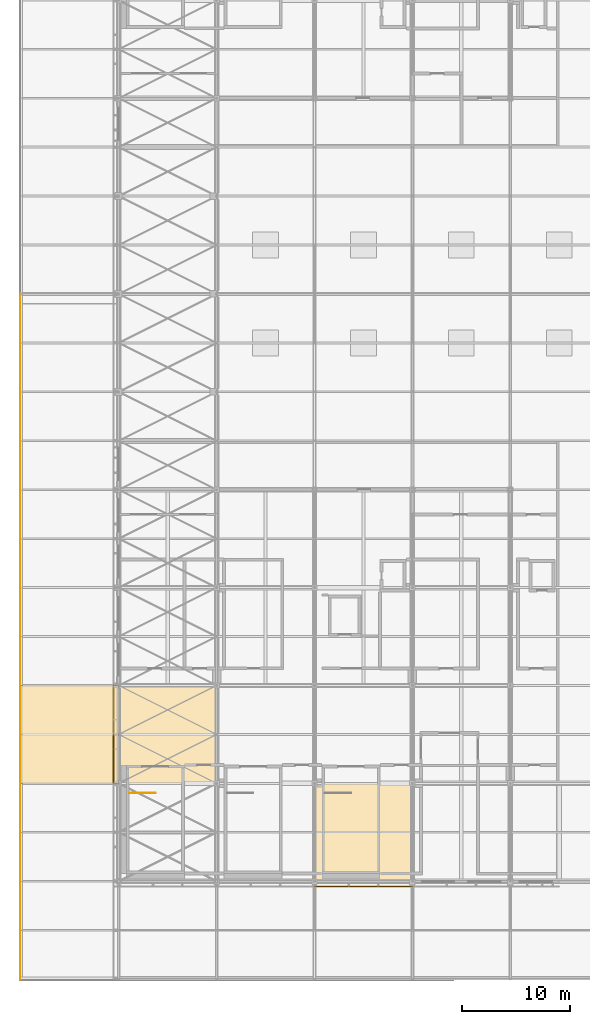
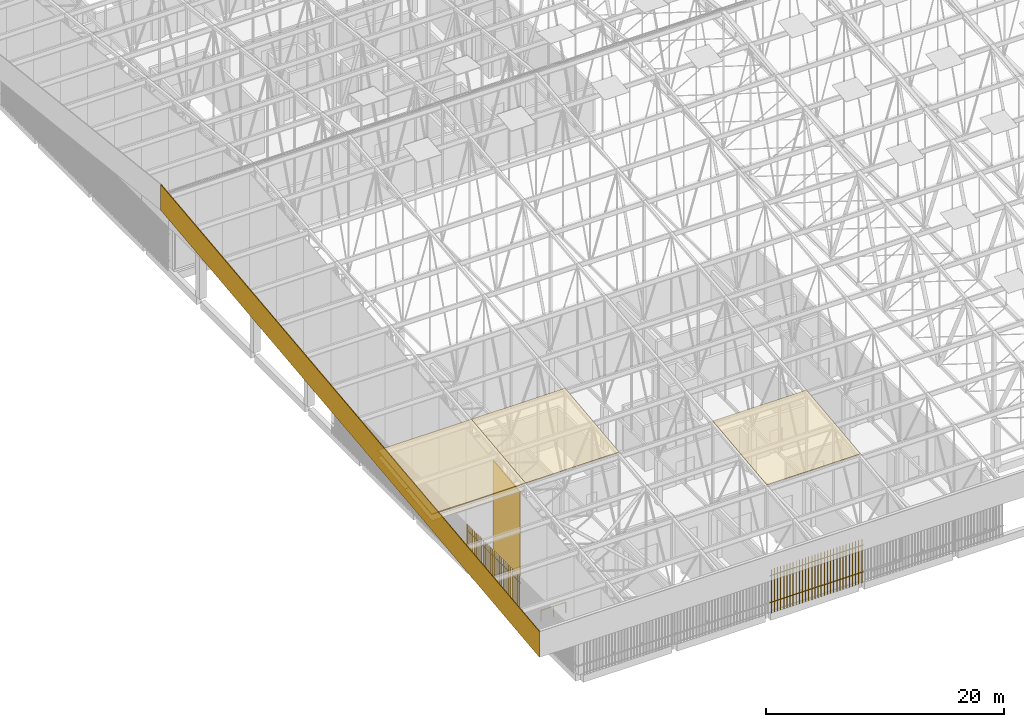
# One storey, part 458 of 500: 6 coverings, 3 shading devices, 1 railing.
"""IFC4 building model written with IfcOpenShell, lengths in metres."""

import ifcopenshell
import ifcopenshell.guid

model = None  # the IFC model being written
_history = None  # IfcOwnerHistory: only IFC2X3 demands one
_inside = {}  # id of a spatial element -> (the spatial element, [elements in it])
_under = {}  # id of a project, library or spatial element -> (it, [spatial elements below it])
_declared = {}  # id of a project -> (the project, [libraries it declares])
_typed = {}  # id of a type object -> (the type object, [elements of that type])
_made_of = {}  # id of a material, layer set ... -> (it, [elements and type objects made of it])


def new_model(schema):
    """Start an empty IFC model of exactly this schema.

    Asked for "IFC4X3", IfcOpenShell would pick the latest addendum, in which some entities
    have other attributes; the version numbers below select the first issue.
    IFC2X3 requires an IfcOwnerHistory on every rooted entity: one is made here for all.
    """
    global model, _history
    if schema == "IFC4X3":
        model = ifcopenshell.file(schema_version=(4, 3, 0, 0))
    else:
        model = ifcopenshell.file(schema=schema)
    _inside.clear()
    _under.clear()
    _declared.clear()
    _typed.clear()
    _made_of.clear()
    _history = None
    if model.schema == "IFC2X3":
        org = make("IfcOrganization", Name="unknown")
        user = make(
            "IfcPersonAndOrganization",
            ThePerson=make("IfcPerson", FamilyName="unknown"),
            TheOrganization=org,
        )
        app = make(
            "IfcApplication",
            ApplicationDeveloper=org,
            Version="unknown",
            ApplicationFullName="unknown",
            ApplicationIdentifier="unknown",
        )
        _history = make(
            "IfcOwnerHistory",
            OwningUser=user,
            OwningApplication=app,
            ChangeAction="ADDED",
            CreationDate=0,
        )
    return model


def make(cls, **values):
    """One entity of the class cls with the attributes given. An attribute that is None is left unset."""
    return model.create_entity(
        cls, **{name: value for name, value in values.items() if value is not None}
    )


def rooted(cls, **values):
    """An entity with a GlobalId (a new one), such as an element, a storey or a relation."""
    return make(cls, GlobalId=ifcopenshell.guid.new(), OwnerHistory=_history, **values)


def si_unit(unit_type, name, prefix=None):
    """IfcSIUnit, for example si_unit("LENGTHUNIT", "METRE", prefix="MILLI")."""
    return make("IfcSIUnit", UnitType=unit_type, Prefix=prefix, Name=name)


def assignment(units):
    """IfcUnitAssignment: the units of a project."""
    return None if units is None else make("IfcUnitAssignment", Units=units)


def point(xyz):
    """IfcCartesianPoint."""
    return None if xyz is None else make("IfcCartesianPoint", Coordinates=xyz)


def direction(xyz):
    """IfcDirection."""
    return None if xyz is None else make("IfcDirection", DirectionRatios=xyz)


def frame(location, z_axis=None, x_axis=None):
    """IfcAxis2Placement3D, a coordinate frame: its origin and axes. An axis left out is left unset."""
    return make(
        "IfcAxis2Placement3D",
        Location=point(location),
        Axis=direction(z_axis),
        RefDirection=direction(x_axis),
    )


def frame_2d(location, x_axis=None):
    """IfcAxis2Placement2D, a coordinate frame in the plane: its origin and x axis."""
    return make(
        "IfcAxis2Placement2D", Location=point(location), RefDirection=direction(x_axis)
    )


def origin():
    """The frame at (0, 0, 0) with its axes left unset."""
    return frame((0.0, 0.0, 0.0))


def origin_2d():
    """The frame at (0, 0) in the plane with its x axis left unset."""
    return frame_2d((0.0, 0.0))


def place(relative_to, where):
    """IfcLocalPlacement: puts the frame where relative to a parent placement (None: the world)."""
    return make(
        "IfcLocalPlacement", PlacementRelTo=relative_to, RelativePlacement=where
    )


def context(
    kind, dimensions, precision=None, world=None, true_north=None, identifier=None
):
    """IfcGeometricRepresentationContext, for example the 3D "Model" context."""
    return make(
        "IfcGeometricRepresentationContext",
        ContextIdentifier=identifier,
        ContextType=kind,
        CoordinateSpaceDimension=dimensions,
        Precision=precision,
        WorldCoordinateSystem=world,
        TrueNorth=true_north,
    )


def subcontext(parent, identifier, kind, view, scale=None):
    """IfcGeometricRepresentationSubContext, for example "Body" below "Model"."""
    return make(
        "IfcGeometricRepresentationSubContext",
        ContextIdentifier=identifier,
        ContextType=kind,
        ParentContext=parent,
        TargetScale=scale,
        TargetView=view,
    )


def project(units=None, contexts=None):
    """IfcProject with its units and contexts."""
    return rooted(
        "IfcProject",
        Name="project",
        RepresentationContexts=contexts,
        UnitsInContext=assignment(units),
    )


def spatial(cls, under=None, at=None, **own):
    """A site, building, storey or space (cls), placed at a placement, below another one or the project."""
    s = rooted(cls, ObjectPlacement=at, **own)
    if under is not None:
        _under.setdefault(under.id(), (under, []))[1].append(s)
    return s


def polyline(points):
    """IfcPolyline through the points."""
    return make("IfcPolyline", Points=[point(p) for p in points])


def profile(cls, at=None, kind="AREA", **sizes):
    """A parametric profile (cls). Its sizes go by their IFC names, for example OverallWidth=200.0."""
    return make(cls, ProfileType=kind, Position=at, **sizes)


def rectangle(**sizes):
    """IfcRectangleProfileDef."""
    return profile("IfcRectangleProfileDef", **sizes)


def circle(**sizes):
    """IfcCircleProfileDef."""
    return profile("IfcCircleProfileDef", **sizes)


def outline(outer, holes=None, kind="AREA"):
    """IfcArbitraryClosedProfileDef: a profile drawn as a closed curve; with holes, ...WithVoids."""
    if holes is None:
        return make("IfcArbitraryClosedProfileDef", ProfileType=kind, OuterCurve=outer)
    return make(
        "IfcArbitraryProfileDefWithVoids",
        ProfileType=kind,
        OuterCurve=outer,
        InnerCurves=holes,
    )


def extrude(swept, where, along, depth):
    """IfcExtrudedAreaSolid: the profile swept, set in the frame where, extruded along a direction by depth."""
    return make(
        "IfcExtrudedAreaSolid",
        SweptArea=swept,
        Position=where,
        ExtrudedDirection=direction(along),
        Depth=depth,
    )


def shape(context_of_items, identifier, shape_type, items):
    """IfcShapeRepresentation: the items that make up one representation, for example the "Body"."""
    return make(
        "IfcShapeRepresentation",
        ContextOfItems=context_of_items,
        RepresentationIdentifier=identifier,
        RepresentationType=shape_type,
        Items=items,
    )


def material(Name=None, Category=None):
    """IfcMaterial."""
    return make("IfcMaterial", Name=Name, Category=Category)


def layer(
    of_material, thickness, ventilated=None, Name=None, Category=None, Priority=None
):
    """IfcMaterialLayer: one layer of a wall or slab, of a material (None: an air gap)."""
    return make(
        "IfcMaterialLayer",
        Material=of_material,
        LayerThickness=thickness,
        IsVentilated=ventilated,
        Name=Name,
        Category=Category,
        Priority=Priority,
    )


def layer_set(layers, Name=None):
    """IfcMaterialLayerSet."""
    return make("IfcMaterialLayerSet", MaterialLayers=layers, LayerSetName=Name)


def made_of(thing, what):
    """Note that an element or type object is made of a material, layer set ...; save() writes the relation."""
    if what is not None:
        _made_of.setdefault(what.id(), (what, []))[1].append(thing)
    return thing


def type_object(cls, material=None, **own):
    """A type object (cls), such as IfcWallType, which elements share."""
    return made_of(rooted(cls, **own), material)


def element(
    cls,
    number,
    at=None,
    inside=None,
    cuts=None,
    type_object=None,
    material=None,
    context=None,
    identifier="Body",
    shape_type=None,
    held_by="IfcProductDefinitionShape",
    body=None,
    shapes=None,
    **own,
):
    """One element of the class cls, such as IfcWall. Its Tag is "e" and its number.

    at: its placement. inside: the storey or other place that contains it. cuts: it is an
    opening in that element (IfcRelVoidsElement). A single representation is given by context,
    identifier, shape_type and body (its items); several are given by shapes. held_by: the class
    of the entity that holds the representations. save() writes the other relations.
    """
    e = rooted(cls, Tag="e%d" % number, ObjectPlacement=at, **own)
    if body is not None:
        shapes = [shape(context, identifier, shape_type, body)]
    if shapes is not None:
        e.Representation = make(held_by, Representations=shapes)
    if inside is not None:
        _inside.setdefault(inside.id(), (inside, []))[1].append(e)
    if cuts is not None:
        rooted(
            "IfcRelVoidsElement", RelatingBuildingElement=cuts, RelatedOpeningElement=e
        )
    if type_object is not None:
        _typed.setdefault(type_object.id(), (type_object, []))[1].append(e)
    return made_of(e, material)


def aggregate(whole, parts):
    """IfcRelAggregates: a whole, such as a stair, and the parts it consists of."""
    return rooted("IfcRelAggregates", RelatingObject=whole, RelatedObjects=parts)


def save(model, path):
    """Write the relations noted so far, then the file.

    IfcRelAggregates (storeys below a building ...), IfcRelContainedInSpatialStructure (elements
    in a storey), IfcRelDefinesByType, IfcRelAssociatesMaterial and IfcRelDeclares: one each for
    every whole, place, type object, material and project.
    """
    for whole, parts in _under.values():
        aggregate(whole, parts)
    for where, things in _inside.values():
        rooted(
            "IfcRelContainedInSpatialStructure",
            RelatedElements=things,
            RelatingStructure=where,
        )
    for kind, things in _typed.values():
        rooted("IfcRelDefinesByType", RelatedObjects=things, RelatingType=kind)
    for what, things in _made_of.values():
        rooted("IfcRelAssociatesMaterial", RelatedObjects=things, RelatingMaterial=what)
    for by, libraries in _declared.values():
        rooted("IfcRelDeclares", RelatingContext=by, RelatedDefinitions=libraries)
    model.write(path)


model = new_model("IFC4")

# Units and contexts
model_context = context("Model", 3, precision=1e-05, world=origin(), true_north=direction((0.0, 1.0)))
body_context = subcontext(model_context, "Body", "Model", "MODEL_VIEW")
ifc_project = project(units=[si_unit("LENGTHUNIT", "METRE"), si_unit("AREAUNIT", "SQUARE_METRE"), si_unit("VOLUMEUNIT", "CUBIC_METRE"), si_unit("PLANEANGLEUNIT", "RADIAN"), si_unit("MASSUNIT", "GRAM", prefix="KILO")], contexts=[model_context])

# Site, building, storey
site_placement = place(None, origin())
site = spatial("IfcSite", under=ifc_project, at=site_placement, CompositionType="ELEMENT")
building_placement = place(site_placement, origin())
building = spatial("IfcBuilding", under=site, at=building_placement, Name="Shirokan Park Arena", CompositionType="ELEMENT")
storey_placement = place(building_placement, frame((0.0, 0.0, 29.1201171875)))
storey = spatial("IfcBuildingStorey", under=building, at=storey_placement, Name="L06", CompositionType="ELEMENT", Elevation=29.1201171875)

# Coverings
ifc_material_1 = material(Name="Bituminous roofing membrane")
ifc_layer_1 = layer(ifc_material_1, 0.010009765625, Name="Bituminous roofing membrane")
ifc_material_2 = material(Name="Mineral wool insulation")
ifc_layer_2 = layer(ifc_material_2, 0.050048828125, Name="Mineral wool insulation")
ifc_layer_set_1 = layer_set([ifc_layer_1, ifc_layer_2], Name="Bituminous roofing membrane + Mineral wool insulation")
covering_type_1 = type_object("IfcCoveringType", Name="Roofing membrane 60", PredefinedType="ROOFING", material=ifc_layer_set_1)
for number, where, z_axis, x_axis, name in (
    (1, (-9.10009765625, 9.10009765625, 13.970703125), (0.0, -0.113552605302, 0.993531985308), (1.0, 0.0, 0.0), "Roofing"),
    (2, (0.0, 9.10009765625, 13.970703125), (0.0, -0.113552605302, 0.993531985308), (1.0, 0.0, 0.0), "Roofing"),
):
    element("IfcCovering", number, at=place(storey_placement, frame(where, z_axis=z_axis, x_axis=x_axis)), inside=storey, type_object=covering_type_1, Name=name, PredefinedType="ROOFING", context=body_context, shape_type="SweptSolid", body=[
        extrude(outline(polyline([(0.0, 0.0), (9.10009765625, 0.0), (9.10009765625, 9.159094674549367), (0.0, 9.159094674549367), (0.0, 0.0)])), origin(), (0.0, 0.0, -1.0), 0.06005859375),
    ])
covering_1_placement = place(storey_placement, frame((18.199951171875, 0.0, 12.9306640625), z_axis=(0.0, -0.113549598152, 0.993532328996), x_axis=(1.0, 0.0, 0.0)))
element("IfcCovering", 3, at=covering_1_placement, inside=storey, type_object=covering_type_1, Name="Roofing", PredefinedType="ROOFING", context=body_context, shape_type="SweptSolid", body=[
    extrude(outline(polyline([(0.0, 0.0), (9.10009765625, 0.0), (9.10009765625, 9.15933723611117), (0.0, 9.15933723611117), (0.0, 0.0)])), origin(), (0.0, 0.0, -1.0), 0.06005859375),
])

# Railing
ifc_material_3 = material(Name="Stainless steel", Category="steel")
railing_type = type_object("IfcRailingType", Name="Stair well guard 1100", PredefinedType="GUARDRAIL", material=ifc_material_3)
railing_placement = place(storey_placement, frame((1.0, 8.199951171875, 0.0)))
element("IfcRailing", 4, at=railing_placement, inside=storey, type_object=railing_type, Name="Guard Exit Stair 1.A L06", PredefinedType="GUARDRAIL", context=body_context, shape_type="SweptSolid", body=[
    extrude(circle(Radius=0.02490234375, at=origin_2d()), frame((0.0, 0.0, 1.0771484375), z_axis=(1.0, 0.0, 0.0), x_axis=(0.0, 1.0, 0.0)), (0.0, 0.0, 1.0), 2.39990234375),
    extrude(circle(Radius=0.02490234375, at=origin_2d()), origin(), (0.0, 0.0, 1.0), 1.052001953125),
    extrude(circle(Radius=0.02490234375, at=origin_2d()), frame((1.199951171875, 0.0, 0.0)), (0.0, 0.0, 1.0), 1.052001953125),
    extrude(circle(Radius=0.02490234375, at=origin_2d()), frame((2.39990234375, 0.0, 0.0)), (0.0, 0.0, 1.0), 1.052001953125),
])

# Coverings
ifc_material_4 = material(Name="Timber soffit boards (cedar)", Category="wood")
ifc_layer_3 = layer(ifc_material_4, 0.030029296875)
ifc_layer_set_2 = layer_set([ifc_layer_3], Name="Timber soffit boards (cedar) 30 mm")
covering_type_2 = type_object("IfcCoveringType", Name="Timber boarded soffit panel", PredefinedType="CLADDING", material=ifc_layer_set_2)
covering_2_placement = place(storey_placement, origin())
element("IfcCovering", 5, at=covering_2_placement, inside=storey, type_object=covering_type_2, Name="Rake soffit west bay 5", PredefinedType="CLADDING", context=body_context, shape_type="SweptSolid", body=[
    extrude(outline(polyline([(0.0, 0.0), (0.11999999999999922, 0.0), (0.11999999999999922, -4.579617887990221), (0.0, -4.579617887990221), (0.0, 0.0)])), frame((-8.97998046875, 9.10009765625, 13.261962890625), z_axis=(0.0, -0.113546591161, 0.993532672656), x_axis=(-1.0, 0.0, 0.0)), (0.0, 0.0, -1.0), 0.030029296875),
    extrude(outline(polyline([(0.0, 0.0), (0.12, 0.0), (0.12, -4.579617887990222), (0.0, -4.579617887990222), (0.0, 0.0)])), frame((-0.2470703125, 13.64990234375, 13.781982421875), z_axis=(0.0, -0.113546591161, 0.993532672656), x_axis=(1.0, 0.0, 0.0)), (0.0, 0.0, -1.0), 0.030029296875),
    extrude(outline(polyline([(0.0, 0.0), (0.12078064455863914, 0.0), (0.12078064455863914, -8.732999999999999), (0.0, -8.732999999999999), (0.0, 0.0)])), frame((-0.2470703125, 13.64990234375, 13.781982421875), z_axis=(0.0, -0.11351156512, 0.993536675007), x_axis=(0.0, -0.993536675007, -0.11351156512)), (0.0, 0.0, -1.0), 0.030029296875),
    extrude(outline(polyline([(0.0, 0.0), (0.12078064455863914, 0.0), (0.12078064455863914, -8.732999999999999), (0.0, -8.732999999999999), (0.0, 0.0)])), frame((-8.97998046875, 9.10009765625, 13.261962890625), z_axis=(0.0, -0.11351156512, 0.993536675007), x_axis=(0.0, 0.993536675007, 0.11351156512)), (0.0, 0.0, -1.0), 0.030029296875),
    extrude(outline(polyline([(0.0, 0.0), (8.733, 0.0), (8.733, -0.1845242816000106), (0.0, -0.1845242816000106), (0.0, 0.0)])), frame((-8.97998046875, 9.4033203125, 13.296630859375), z_axis=(0.0, -0.113589386818, 0.99352778079), x_axis=(1.0, 0.0, 0.0)), (0.0, 0.0, -1.0), 0.030029296875),
    extrude(outline(polyline([(0.0, 0.0), (8.733, 0.0), (8.733, -0.3053137258624314), (0.0, -0.3053137258624314), (0.0, 0.0)])), frame((-8.97998046875, 9.706787109375, 13.331298828125), z_axis=(0.0, -0.113522573877, 0.993535417195), x_axis=(1.0, 0.0, 0.0)), (0.0, 0.0, -1.0), 0.030029296875),
    extrude(outline(polyline([(0.0, 0.0), (8.733, 0.0), (8.733, -0.30530492593471087), (0.0, -0.30530492593471087), (0.0, 0.0)])), frame((-8.97998046875, 10.010009765625, 13.365966796875), z_axis=(0.0, -0.113558600124, 0.99353130013), x_axis=(1.0, 0.0, 0.0)), (0.0, 0.0, -1.0), 0.030029296875),
    extrude(outline(polyline([(0.0, 0.0), (8.733, 0.0), (8.733, -0.3053049259347134), (0.0, -0.3053049259347134), (0.0, 0.0)])), frame((-8.97998046875, 10.313232421875, 13.400634765625), z_axis=(0.0, -0.113558600124, 0.99353130013), x_axis=(1.0, 0.0, 0.0)), (0.0, 0.0, -1.0), 0.030029296875),
    extrude(outline(polyline([(0.0, 0.0), (8.733, 0.0), (8.733, -0.30531372586242966), (0.0, -0.30531372586242966), (0.0, 0.0)])), frame((-8.97998046875, 10.61669921875, 13.435302734375), z_axis=(0.0, -0.113522573877, 0.993535417195), x_axis=(1.0, 0.0, 0.0)), (0.0, 0.0, -1.0), 0.030029296875),
    extrude(outline(polyline([(0.0, 0.0), (8.733, 0.0), (8.733, -0.3053049259347134), (0.0, -0.3053049259347134), (0.0, 0.0)])), frame((-8.97998046875, 10.919921875, 13.469970703125), z_axis=(0.0, -0.113558600124, 0.99353130013), x_axis=(1.0, 0.0, 0.0)), (0.0, 0.0, -1.0), 0.030029296875),
    extrude(outline(polyline([(0.0, 0.0), (8.733, 0.0), (8.733, -0.3053049259347126), (0.0, -0.3053049259347126), (0.0, 0.0)])), frame((-8.97998046875, 11.223388671875, 13.504638671875), z_axis=(0.0, -0.113558600124, 0.99353130013), x_axis=(1.0, 0.0, 0.0)), (0.0, 0.0, -1.0), 0.030029296875),
    extrude(outline(polyline([(0.0, 0.0), (8.733, 0.0), (8.733, -0.30531372586242966), (0.0, -0.30531372586242966), (0.0, 0.0)])), frame((-8.97998046875, 11.526611328125, 13.539306640625), z_axis=(0.0, -0.113522573877, 0.993535417195), x_axis=(1.0, 0.0, 0.0)), (0.0, 0.0, -1.0), 0.030029296875),
    extrude(outline(polyline([(0.0, 0.0), (8.733, 0.0), (8.733, -0.3053049259347134), (0.0, -0.3053049259347134), (0.0, 0.0)])), frame((-8.97998046875, 11.830078125, 13.573974609375), z_axis=(0.0, -0.113558600124, 0.99353130013), x_axis=(1.0, 0.0, 0.0)), (0.0, 0.0, -1.0), 0.030029296875),
    extrude(outline(polyline([(0.0, 0.0), (8.733, 0.0), (8.733, -0.3053049259347126), (0.0, -0.3053049259347126), (0.0, 0.0)])), frame((-8.97998046875, 12.13330078125, 13.608642578125), z_axis=(0.0, -0.113558600124, 0.99353130013), x_axis=(1.0, 0.0, 0.0)), (0.0, 0.0, -1.0), 0.030029296875),
    extrude(outline(polyline([(0.0, 0.0), (8.733, 0.0), (8.733, -0.3053137258624304), (0.0, -0.3053137258624304), (0.0, 0.0)])), frame((-8.97998046875, 12.436767578125, 13.643310546875), z_axis=(0.0, -0.113522573877, 0.993535417195), x_axis=(1.0, 0.0, 0.0)), (0.0, 0.0, -1.0), 0.030029296875),
    extrude(outline(polyline([(0.0, 0.0), (8.733, 0.0), (8.733, -0.30530492593471265), (0.0, -0.30530492593471265), (0.0, 0.0)])), frame((-8.97998046875, 12.739990234375, 13.677978515625), z_axis=(0.0, -0.113558600124, 0.99353130013), x_axis=(1.0, 0.0, 0.0)), (0.0, 0.0, -1.0), 0.030029296875),
    extrude(outline(polyline([(0.0, 0.0), (8.733, 0.0), (8.733, -0.30530492593471087), (0.0, -0.30530492593471087), (0.0, 0.0)])), frame((-8.97998046875, 13.043212890625, 13.712646484375), z_axis=(0.0, -0.113558600124, 0.99353130013), x_axis=(1.0, 0.0, 0.0)), (0.0, 0.0, -1.0), 0.030029296875),
    extrude(outline(polyline([(0.0, 0.0), (8.733, 0.0), (8.733, -0.3053137258624322), (0.0, -0.3053137258624322), (0.0, 0.0)])), frame((-8.97998046875, 13.3466796875, 13.747314453125), z_axis=(0.0, -0.113522573877, 0.993535417195), x_axis=(1.0, 0.0, 0.0)), (0.0, 0.0, -1.0), 0.030029296875),
    extrude(outline(polyline([(0.0, 0.0), (8.733, 0.0), (8.733, -0.1845242816000098), (0.0, -0.1845242816000098), (0.0, 0.0)])), frame((-8.97998046875, 13.530029296875, 13.76806640625), z_axis=(0.0, -0.113589386818, 0.99352778079), x_axis=(1.0, 0.0, 0.0)), (0.0, 0.0, -1.0), 0.030029296875),
])
covering_3_placement = place(storey_placement, origin())
element("IfcCovering", 6, at=covering_3_placement, inside=storey, type_object=covering_type_2, Name="Rake soffit west bay 6", PredefinedType="CLADDING", context=body_context, shape_type="SweptSolid", body=[
    extrude(outline(polyline([(0.0, 0.0), (0.11999999999999922, 0.0), (0.11999999999999922, -4.579617887990218), (0.0, -4.579617887990218), (0.0, 0.0)])), frame((-8.97998046875, 13.64990234375, 13.781982421875), z_axis=(0.0, -0.113546591161, 0.993532672656), x_axis=(-1.0, 0.0, 0.0)), (0.0, 0.0, -1.0), 0.030029296875),
    extrude(outline(polyline([(0.0, 0.0), (0.12, 0.0), (0.12, -4.579617887990218), (0.0, -4.579617887990218), (0.0, 0.0)])), frame((-0.2470703125, 18.199951171875, 14.302001953125), z_axis=(0.0, -0.113546591161, 0.993532672656), x_axis=(1.0, 0.0, 0.0)), (0.0, 0.0, -1.0), 0.030029296875),
    extrude(outline(polyline([(0.0, 0.0), (0.12078064455863834, 0.0), (0.12078064455863834, -8.733), (0.0, -8.733), (0.0, 0.0)])), frame((-0.2470703125, 18.199951171875, 14.302001953125), z_axis=(0.0, -0.11351156512, 0.993536675007), x_axis=(0.0, -0.993536675007, -0.11351156512)), (0.0, 0.0, -1.0), 0.030029296875),
    extrude(outline(polyline([(0.0, 0.0), (0.12078064455863657, 0.0), (0.12078064455863657, -8.733000000000002), (0.0, -8.733000000000002), (0.0, 0.0)])), frame((-8.97998046875, 13.64990234375, 13.781982421875), z_axis=(0.0, -0.11351156512, 0.993536675007), x_axis=(0.0, 0.993536675007, 0.11351156512)), (0.0, 0.0, -1.0), 0.030029296875),
    extrude(outline(polyline([(0.0, 0.0), (8.733, 0.0), (8.733, -0.1845242816000106), (0.0, -0.1845242816000106), (0.0, 0.0)])), frame((-8.97998046875, 13.953369140625, 13.816650390625), z_axis=(0.0, -0.113589386818, 0.99352778079), x_axis=(1.0, 0.0, 0.0)), (0.0, 0.0, -1.0), 0.030029296875),
    extrude(outline(polyline([(0.0, 0.0), (8.733, 0.0), (8.733, -0.3053137258624322), (0.0, -0.3053137258624322), (0.0, 0.0)])), frame((-8.97998046875, 14.256591796875, 13.851318359375), z_axis=(0.0, -0.113522573877, 0.993535417195), x_axis=(1.0, 0.0, 0.0)), (0.0, 0.0, -1.0), 0.030029296875),
    extrude(outline(polyline([(0.0, 0.0), (8.733, 0.0), (8.733, -0.3053049259347126), (0.0, -0.3053049259347126), (0.0, 0.0)])), frame((-8.97998046875, 14.56005859375, 13.885986328125), z_axis=(0.0, -0.113558600124, 0.99353130013), x_axis=(1.0, 0.0, 0.0)), (0.0, 0.0, -1.0), 0.030029296875),
    extrude(outline(polyline([(0.0, 0.0), (8.733, 0.0), (8.733, -0.3053049259347108), (0.0, -0.3053049259347108), (0.0, 0.0)])), frame((-8.97998046875, 14.86328125, 13.920654296875), z_axis=(0.0, -0.113558600124, 0.99353130013), x_axis=(1.0, 0.0, 0.0)), (0.0, 0.0, -1.0), 0.030029296875),
    extrude(outline(polyline([(0.0, 0.0), (8.733, 0.0), (8.733, -0.3053137258624322), (0.0, -0.3053137258624322), (0.0, 0.0)])), frame((-8.97998046875, 15.166748046875, 13.955322265625), z_axis=(0.0, -0.113522573877, 0.993535417195), x_axis=(1.0, 0.0, 0.0)), (0.0, 0.0, -1.0), 0.030029296875),
    extrude(outline(polyline([(0.0, 0.0), (8.733, 0.0), (8.733, -0.30530492593471265), (0.0, -0.30530492593471265), (0.0, 0.0)])), frame((-8.97998046875, 15.469970703125, 13.989990234375), z_axis=(0.0, -0.113558600124, 0.99353130013), x_axis=(1.0, 0.0, 0.0)), (0.0, 0.0, -1.0), 0.030029296875),
    extrude(outline(polyline([(0.0, 0.0), (8.733, 0.0), (8.733, -0.30530492593471087), (0.0, -0.30530492593471087), (0.0, 0.0)])), frame((-8.97998046875, 15.7734375, 14.024658203125), z_axis=(0.0, -0.113558600124, 0.99353130013), x_axis=(1.0, 0.0, 0.0)), (0.0, 0.0, -1.0), 0.030029296875),
    extrude(outline(polyline([(0.0, 0.0), (8.733, 0.0), (8.733, -0.3053137258624322), (0.0, -0.3053137258624322), (0.0, 0.0)])), frame((-8.97998046875, 16.07666015625, 14.059326171875), z_axis=(0.0, -0.113522573877, 0.993535417195), x_axis=(1.0, 0.0, 0.0)), (0.0, 0.0, -1.0), 0.030029296875),
    extrude(outline(polyline([(0.0, 0.0), (8.733, 0.0), (8.733, -0.30530492593471087), (0.0, -0.30530492593471087), (0.0, 0.0)])), frame((-8.97998046875, 16.3798828125, 14.093994140625), z_axis=(0.0, -0.113558600124, 0.99353130013), x_axis=(1.0, 0.0, 0.0)), (0.0, 0.0, -1.0), 0.030029296875),
    extrude(outline(polyline([(0.0, 0.0), (8.733, 0.0), (8.733, -0.3053049259347144), (0.0, -0.3053049259347144), (0.0, 0.0)])), frame((-8.97998046875, 16.683349609375, 14.128662109375), z_axis=(0.0, -0.113558600124, 0.99353130013), x_axis=(1.0, 0.0, 0.0)), (0.0, 0.0, -1.0), 0.030029296875),
    extrude(outline(polyline([(0.0, 0.0), (8.733, 0.0), (8.733, -0.30531372586243044), (0.0, -0.30531372586243044), (0.0, 0.0)])), frame((-8.97998046875, 16.986572265625, 14.163330078125), z_axis=(0.0, -0.113522573877, 0.993535417195), x_axis=(1.0, 0.0, 0.0)), (0.0, 0.0, -1.0), 0.030029296875),
    extrude(outline(polyline([(0.0, 0.0), (8.733, 0.0), (8.733, -0.30530492593471087), (0.0, -0.30530492593471087), (0.0, 0.0)])), frame((-8.97998046875, 17.2900390625, 14.197998046875), z_axis=(0.0, -0.113558600124, 0.99353130013), x_axis=(1.0, 0.0, 0.0)), (0.0, 0.0, -1.0), 0.030029296875),
    extrude(outline(polyline([(0.0, 0.0), (8.733, 0.0), (8.733, -0.3053049259347152), (0.0, -0.3053049259347152), (0.0, 0.0)])), frame((-8.97998046875, 17.59326171875, 14.232666015625), z_axis=(0.0, -0.113558600124, 0.99353130013), x_axis=(1.0, 0.0, 0.0)), (0.0, 0.0, -1.0), 0.030029296875),
    extrude(outline(polyline([(0.0, 0.0), (8.733, 0.0), (8.733, -0.3053137258624296), (0.0, -0.3053137258624296), (0.0, 0.0)])), frame((-8.97998046875, 17.896728515625, 14.267333984375), z_axis=(0.0, -0.113522573877, 0.993535417195), x_axis=(1.0, 0.0, 0.0)), (0.0, 0.0, -1.0), 0.030029296875),
    extrude(outline(polyline([(0.0, 0.0), (8.733, 0.0), (8.733, -0.18452428160000883), (0.0, -0.18452428160000883), (0.0, 0.0)])), frame((-8.97998046875, 18.080078125, 14.2880859375), z_axis=(0.0, -0.113589386818, 0.99352778079), x_axis=(1.0, 0.0, 0.0)), (0.0, 0.0, -1.0), 0.030029296875),
])

# Shading devices
ifc_material_5 = material(Name="Timber louvre veil (cedar)", Category="wood")
shading_device_type_1 = type_object("IfcShadingDeviceType", Name="Timber louvre veil panel", PredefinedType="JALOUSIE", material=ifc_material_5)
shading_device_1_placement = place(storey_placement, origin())
element("IfcShadingDevice", 7, at=shading_device_1_placement, inside=storey, type_object=shading_device_type_1, Name="Timber louvre veil south bay 3 L06", PredefinedType="JALOUSIE", context=body_context, shape_type="SweptSolid", body=[
    extrude(rectangle(XDim=0.050048828125, YDim=0.080078125, at=origin_2d()), frame((18.3515625, -0.485107421875, 0.0), z_axis=(0.0, 0.0, 1.0), x_axis=(1.0, 0.0, 0.0)), (0.0, 0.0, 1.0), 4.5),
    extrude(rectangle(XDim=0.050048828125, YDim=0.080078125, at=origin_2d()), frame((18.655029296875, -0.485107421875, 0.0), z_axis=(0.0, 0.0, 1.0), x_axis=(1.0, 0.0, 0.0)), (0.0, 0.0, 1.0), 4.5),
    extrude(rectangle(XDim=0.050048828125, YDim=0.080078125, at=origin_2d()), frame((18.958251953125, -0.485107421875, 0.0), z_axis=(0.0, 0.0, 1.0), x_axis=(1.0, 0.0, 0.0)), (0.0, 0.0, 1.0), 4.5),
    extrude(rectangle(XDim=0.050048828125, YDim=0.080078125, at=origin_2d()), frame((19.26171875, -0.485107421875, 0.0), z_axis=(0.0, 0.0, 1.0), x_axis=(1.0, 0.0, 0.0)), (0.0, 0.0, 1.0), 4.5),
    extrude(rectangle(XDim=0.050048828125, YDim=0.080078125, at=origin_2d()), frame((19.56494140625, -0.485107421875, 0.0), z_axis=(0.0, 0.0, 1.0), x_axis=(1.0, 0.0, 0.0)), (0.0, 0.0, 1.0), 4.5),
    extrude(rectangle(XDim=0.050048828125, YDim=0.080078125, at=origin_2d()), frame((19.868408203125, -0.485107421875, 0.0), z_axis=(0.0, 0.0, 1.0), x_axis=(1.0, 0.0, 0.0)), (0.0, 0.0, 1.0), 4.5),
    extrude(rectangle(XDim=0.050048828125, YDim=0.080078125, at=origin_2d()), frame((20.171630859375, -0.485107421875, 0.0), z_axis=(0.0, 0.0, 1.0), x_axis=(1.0, 0.0, 0.0)), (0.0, 0.0, 1.0), 4.5),
    extrude(rectangle(XDim=0.050048828125, YDim=0.080078125, at=origin_2d()), frame((20.47509765625, -0.485107421875, 0.0), z_axis=(0.0, 0.0, 1.0), x_axis=(1.0, 0.0, 0.0)), (0.0, 0.0, 1.0), 4.5),
    extrude(rectangle(XDim=0.050048828125, YDim=0.080078125, at=origin_2d()), frame((20.7783203125, -0.485107421875, 0.0), z_axis=(0.0, 0.0, 1.0), x_axis=(1.0, 0.0, 0.0)), (0.0, 0.0, 1.0), 4.5),
    extrude(rectangle(XDim=0.050048828125, YDim=0.080078125, at=origin_2d()), frame((21.081787109375, -0.485107421875, 0.0), z_axis=(0.0, 0.0, 1.0), x_axis=(1.0, 0.0, 0.0)), (0.0, 0.0, 1.0), 4.5),
    extrude(rectangle(XDim=0.050048828125, YDim=0.080078125, at=origin_2d()), frame((21.385009765625, -0.485107421875, 0.0), z_axis=(0.0, 0.0, 1.0), x_axis=(1.0, 0.0, 0.0)), (0.0, 0.0, 1.0), 4.5),
    extrude(rectangle(XDim=0.050048828125, YDim=0.080078125, at=origin_2d()), frame((21.688232421875, -0.485107421875, 0.0), z_axis=(0.0, 0.0, 1.0), x_axis=(1.0, 0.0, 0.0)), (0.0, 0.0, 1.0), 4.5),
    extrude(rectangle(XDim=0.050048828125, YDim=0.080078125, at=origin_2d()), frame((21.99169921875, -0.485107421875, 0.0), z_axis=(0.0, 0.0, 1.0), x_axis=(1.0, 0.0, 0.0)), (0.0, 0.0, 1.0), 4.5),
    extrude(rectangle(XDim=0.050048828125, YDim=0.080078125, at=origin_2d()), frame((22.294921875, -0.485107421875, 0.0), z_axis=(0.0, 0.0, 1.0), x_axis=(1.0, 0.0, 0.0)), (0.0, 0.0, 1.0), 4.5),
    extrude(rectangle(XDim=0.050048828125, YDim=0.080078125, at=origin_2d()), frame((22.598388671875, -0.485107421875, 0.0), z_axis=(0.0, 0.0, 1.0), x_axis=(1.0, 0.0, 0.0)), (0.0, 0.0, 1.0), 4.5),
    extrude(rectangle(XDim=0.050048828125, YDim=0.080078125, at=origin_2d()), frame((22.901611328125, -0.485107421875, 0.0), z_axis=(0.0, 0.0, 1.0), x_axis=(1.0, 0.0, 0.0)), (0.0, 0.0, 1.0), 4.5),
    extrude(rectangle(XDim=0.050048828125, YDim=0.080078125, at=origin_2d()), frame((23.205078125, -0.485107421875, 0.0), z_axis=(0.0, 0.0, 1.0), x_axis=(1.0, 0.0, 0.0)), (0.0, 0.0, 1.0), 4.5),
    extrude(rectangle(XDim=0.050048828125, YDim=0.080078125, at=origin_2d()), frame((23.50830078125, -0.485107421875, 0.0), z_axis=(0.0, 0.0, 1.0), x_axis=(1.0, 0.0, 0.0)), (0.0, 0.0, 1.0), 4.5),
    extrude(rectangle(XDim=0.050048828125, YDim=0.080078125, at=origin_2d()), frame((23.811767578125, -0.485107421875, 0.0), z_axis=(0.0, 0.0, 1.0), x_axis=(1.0, 0.0, 0.0)), (0.0, 0.0, 1.0), 4.5),
    extrude(rectangle(XDim=0.050048828125, YDim=0.080078125, at=origin_2d()), frame((24.114990234375, -0.485107421875, 0.0), z_axis=(0.0, 0.0, 1.0), x_axis=(1.0, 0.0, 0.0)), (0.0, 0.0, 1.0), 4.5),
    extrude(rectangle(XDim=0.050048828125, YDim=0.080078125, at=origin_2d()), frame((24.418212890625, -0.485107421875, 0.0), z_axis=(0.0, 0.0, 1.0), x_axis=(1.0, 0.0, 0.0)), (0.0, 0.0, 1.0), 4.5),
    extrude(rectangle(XDim=0.050048828125, YDim=0.080078125, at=origin_2d()), frame((24.7216796875, -0.485107421875, 0.0), z_axis=(0.0, 0.0, 1.0), x_axis=(1.0, 0.0, 0.0)), (0.0, 0.0, 1.0), 4.5),
    extrude(rectangle(XDim=0.050048828125, YDim=0.080078125, at=origin_2d()), frame((25.02490234375, -0.485107421875, 0.0), z_axis=(0.0, 0.0, 1.0), x_axis=(1.0, 0.0, 0.0)), (0.0, 0.0, 1.0), 4.5),
    extrude(rectangle(XDim=0.050048828125, YDim=0.080078125, at=origin_2d()), frame((25.328369140625, -0.485107421875, 0.0), z_axis=(0.0, 0.0, 1.0), x_axis=(1.0, 0.0, 0.0)), (0.0, 0.0, 1.0), 4.5),
    extrude(rectangle(XDim=0.050048828125, YDim=0.080078125, at=origin_2d()), frame((25.631591796875, -0.485107421875, 0.0), z_axis=(0.0, 0.0, 1.0), x_axis=(1.0, 0.0, 0.0)), (0.0, 0.0, 1.0), 4.5),
    extrude(rectangle(XDim=0.050048828125, YDim=0.080078125, at=origin_2d()), frame((25.93505859375, -0.485107421875, 0.0), z_axis=(0.0, 0.0, 1.0), x_axis=(1.0, 0.0, 0.0)), (0.0, 0.0, 1.0), 4.5),
    extrude(rectangle(XDim=0.050048828125, YDim=0.080078125, at=origin_2d()), frame((26.23828125, -0.485107421875, 0.0), z_axis=(0.0, 0.0, 1.0), x_axis=(1.0, 0.0, 0.0)), (0.0, 0.0, 1.0), 4.5),
    extrude(rectangle(XDim=0.050048828125, YDim=0.080078125, at=origin_2d()), frame((26.541748046875, -0.485107421875, 0.0), z_axis=(0.0, 0.0, 1.0), x_axis=(1.0, 0.0, 0.0)), (0.0, 0.0, 1.0), 4.5),
    extrude(rectangle(XDim=0.050048828125, YDim=0.080078125, at=origin_2d()), frame((26.844970703125, -0.485107421875, 0.0), z_axis=(0.0, 0.0, 1.0), x_axis=(1.0, 0.0, 0.0)), (0.0, 0.0, 1.0), 4.5),
    extrude(rectangle(XDim=0.050048828125, YDim=0.080078125, at=origin_2d()), frame((27.1484375, -0.485107421875, 0.0), z_axis=(0.0, 0.0, 1.0), x_axis=(1.0, 0.0, 0.0)), (0.0, 0.0, 1.0), 4.5),
    extrude(rectangle(XDim=9.10009765625, YDim=0.050048828125, at=origin_2d()), frame((22.75, -0.469970703125, 1.059814453125), z_axis=(0.0, 0.0, 1.0), x_axis=(1.0, 0.0, 0.0)), (0.0, 0.0, 1.0), 0.080078125),
    extrude(rectangle(XDim=9.10009765625, YDim=0.050048828125, at=origin_2d()), frame((22.75, -0.469970703125, 3.809814453125), z_axis=(0.0, 0.0, 1.0), x_axis=(1.0, 0.0, 0.0)), (0.0, 0.0, 1.0), 0.080078125),
])
shading_device_2_placement = place(storey_placement, origin())
element("IfcShadingDevice", 8, at=shading_device_2_placement, inside=storey, type_object=shading_device_type_1, Name="Timber louvre veil west bay 11 L06", PredefinedType="JALOUSIE", context=body_context, shape_type="SweptSolid", body=[
    extrude(rectangle(XDim=0.050048828125, YDim=0.080078125, at=origin_2d()), frame((-0.485107421875, 18.04833984375, 0.0), z_axis=(0.0, 0.0, 1.0), x_axis=(0.0, -1.0, 0.0)), (0.0, 0.0, 1.0), 4.5),
    extrude(rectangle(XDim=0.050048828125, YDim=0.080078125, at=origin_2d()), frame((-0.485107421875, 17.7451171875, 0.0), z_axis=(0.0, 0.0, 1.0), x_axis=(0.0, -1.0, 0.0)), (0.0, 0.0, 1.0), 4.5),
    extrude(rectangle(XDim=0.050048828125, YDim=0.080078125, at=origin_2d()), frame((-0.485107421875, 17.441650390625, 0.0), z_axis=(0.0, 0.0, 1.0), x_axis=(0.0, -1.0, 0.0)), (0.0, 0.0, 1.0), 4.5),
    extrude(rectangle(XDim=0.050048828125, YDim=0.080078125, at=origin_2d()), frame((-0.485107421875, 17.138427734375, 0.0), z_axis=(0.0, 0.0, 1.0), x_axis=(0.0, -1.0, 0.0)), (0.0, 0.0, 1.0), 4.5),
    extrude(rectangle(XDim=0.050048828125, YDim=0.080078125, at=origin_2d()), frame((-0.485107421875, 16.8349609375, 0.0), z_axis=(0.0, 0.0, 1.0), x_axis=(0.0, -1.0, 0.0)), (0.0, 0.0, 1.0), 4.5),
    extrude(rectangle(XDim=0.050048828125, YDim=0.080078125, at=origin_2d()), frame((-0.485107421875, 16.53173828125, 0.0), z_axis=(0.0, 0.0, 1.0), x_axis=(0.0, -1.0, 0.0)), (0.0, 0.0, 1.0), 4.5),
    extrude(rectangle(XDim=0.050048828125, YDim=0.080078125, at=origin_2d()), frame((-0.485107421875, 16.228271484375, 0.0), z_axis=(0.0, 0.0, 1.0), x_axis=(0.0, -1.0, 0.0)), (0.0, 0.0, 1.0), 4.5),
    extrude(rectangle(XDim=0.050048828125, YDim=0.080078125, at=origin_2d()), frame((-0.485107421875, 15.925048828125, 0.0), z_axis=(0.0, 0.0, 1.0), x_axis=(0.0, -1.0, 0.0)), (0.0, 0.0, 1.0), 4.5),
    extrude(rectangle(XDim=0.050048828125, YDim=0.080078125, at=origin_2d()), frame((-0.485107421875, 15.62158203125, 0.0), z_axis=(0.0, 0.0, 1.0), x_axis=(0.0, -1.0, 0.0)), (0.0, 0.0, 1.0), 4.5),
    extrude(rectangle(XDim=0.050048828125, YDim=0.080078125, at=origin_2d()), frame((-0.485107421875, 15.318359375, 0.0), z_axis=(0.0, 0.0, 1.0), x_axis=(0.0, -1.0, 0.0)), (0.0, 0.0, 1.0), 4.5),
    extrude(rectangle(XDim=0.050048828125, YDim=0.080078125, at=origin_2d()), frame((-0.485107421875, 15.014892578125, 0.0), z_axis=(0.0, 0.0, 1.0), x_axis=(0.0, -1.0, 0.0)), (0.0, 0.0, 1.0), 4.5),
    extrude(rectangle(XDim=0.050048828125, YDim=0.080078125, at=origin_2d()), frame((-0.485107421875, 14.711669921875, 0.0), z_axis=(0.0, 0.0, 1.0), x_axis=(0.0, -1.0, 0.0)), (0.0, 0.0, 1.0), 4.5),
    extrude(rectangle(XDim=0.050048828125, YDim=0.080078125, at=origin_2d()), frame((-0.485107421875, 14.408447265625, 0.0), z_axis=(0.0, 0.0, 1.0), x_axis=(0.0, -1.0, 0.0)), (0.0, 0.0, 1.0), 4.5),
    extrude(rectangle(XDim=0.050048828125, YDim=0.080078125, at=origin_2d()), frame((-0.485107421875, 14.10498046875, 0.0), z_axis=(0.0, 0.0, 1.0), x_axis=(0.0, -1.0, 0.0)), (0.0, 0.0, 1.0), 4.5),
    extrude(rectangle(XDim=0.050048828125, YDim=0.080078125, at=origin_2d()), frame((-0.485107421875, 13.8017578125, 0.0), z_axis=(0.0, 0.0, 1.0), x_axis=(0.0, -1.0, 0.0)), (0.0, 0.0, 1.0), 4.5),
    extrude(rectangle(XDim=0.050048828125, YDim=0.080078125, at=origin_2d()), frame((-0.485107421875, 13.498291015625, 0.0), z_axis=(0.0, 0.0, 1.0), x_axis=(0.0, -1.0, 0.0)), (0.0, 0.0, 1.0), 4.5),
    extrude(rectangle(XDim=0.050048828125, YDim=0.080078125, at=origin_2d()), frame((-0.485107421875, 13.195068359375, 0.0), z_axis=(0.0, 0.0, 1.0), x_axis=(0.0, -1.0, 0.0)), (0.0, 0.0, 1.0), 4.5),
    extrude(rectangle(XDim=0.050048828125, YDim=0.080078125, at=origin_2d()), frame((-0.485107421875, 12.8916015625, 0.0), z_axis=(0.0, 0.0, 1.0), x_axis=(0.0, -1.0, 0.0)), (0.0, 0.0, 1.0), 4.5),
    extrude(rectangle(XDim=0.050048828125, YDim=0.080078125, at=origin_2d()), frame((-0.485107421875, 12.58837890625, 0.0), z_axis=(0.0, 0.0, 1.0), x_axis=(0.0, -1.0, 0.0)), (0.0, 0.0, 1.0), 4.5),
    extrude(rectangle(XDim=0.050048828125, YDim=0.080078125, at=origin_2d()), frame((-0.485107421875, 12.284912109375, 0.0), z_axis=(0.0, 0.0, 1.0), x_axis=(0.0, -1.0, 0.0)), (0.0, 0.0, 1.0), 4.5),
    extrude(rectangle(XDim=0.050048828125, YDim=0.080078125, at=origin_2d()), frame((-0.485107421875, 11.981689453125, 0.0), z_axis=(0.0, 0.0, 1.0), x_axis=(0.0, -1.0, 0.0)), (0.0, 0.0, 1.0), 4.5),
    extrude(rectangle(XDim=0.050048828125, YDim=0.080078125, at=origin_2d()), frame((-0.485107421875, 11.67822265625, 0.0), z_axis=(0.0, 0.0, 1.0), x_axis=(0.0, -1.0, 0.0)), (0.0, 0.0, 1.0), 4.5),
    extrude(rectangle(XDim=0.050048828125, YDim=0.080078125, at=origin_2d()), frame((-0.485107421875, 11.375, 0.0), z_axis=(0.0, 0.0, 1.0), x_axis=(0.0, -1.0, 0.0)), (0.0, 0.0, 1.0), 4.5),
    extrude(rectangle(XDim=0.050048828125, YDim=0.080078125, at=origin_2d()), frame((-0.485107421875, 11.07177734375, 0.0), z_axis=(0.0, 0.0, 1.0), x_axis=(0.0, -1.0, 0.0)), (0.0, 0.0, 1.0), 4.5),
    extrude(rectangle(XDim=0.050048828125, YDim=0.080078125, at=origin_2d()), frame((-0.485107421875, 10.768310546875, 0.0), z_axis=(0.0, 0.0, 1.0), x_axis=(0.0, -1.0, 0.0)), (0.0, 0.0, 1.0), 4.5),
    extrude(rectangle(XDim=0.050048828125, YDim=0.080078125, at=origin_2d()), frame((-0.485107421875, 10.465087890625, 0.0), z_axis=(0.0, 0.0, 1.0), x_axis=(0.0, -1.0, 0.0)), (0.0, 0.0, 1.0), 4.5),
    extrude(rectangle(XDim=0.050048828125, YDim=0.080078125, at=origin_2d()), frame((-0.485107421875, 10.16162109375, 0.0), z_axis=(0.0, 0.0, 1.0), x_axis=(0.0, -1.0, 0.0)), (0.0, 0.0, 1.0), 4.5),
    extrude(rectangle(XDim=0.050048828125, YDim=0.080078125, at=origin_2d()), frame((-0.485107421875, 9.8583984375, 0.0), z_axis=(0.0, 0.0, 1.0), x_axis=(0.0, -1.0, 0.0)), (0.0, 0.0, 1.0), 4.5),
    extrude(rectangle(XDim=0.050048828125, YDim=0.080078125, at=origin_2d()), frame((-0.485107421875, 9.554931640625, 0.0), z_axis=(0.0, 0.0, 1.0), x_axis=(0.0, -1.0, 0.0)), (0.0, 0.0, 1.0), 4.5),
    extrude(rectangle(XDim=0.050048828125, YDim=0.080078125, at=origin_2d()), frame((-0.485107421875, 9.251708984375, 0.0), z_axis=(0.0, 0.0, 1.0), x_axis=(0.0, -1.0, 0.0)), (0.0, 0.0, 1.0), 4.5),
    extrude(rectangle(XDim=9.10009765625, YDim=0.050048828125, at=origin_2d()), frame((-0.469970703125, 13.64990234375, 1.059814453125), z_axis=(0.0, 0.0, 1.0), x_axis=(0.0, -1.0, 0.0)), (0.0, 0.0, 1.0), 0.080078125),
    extrude(rectangle(XDim=9.10009765625, YDim=0.050048828125, at=origin_2d()), frame((-0.469970703125, 13.64990234375, 3.809814453125), z_axis=(0.0, 0.0, 1.0), x_axis=(0.0, -1.0, 0.0)), (0.0, 0.0, 1.0), 0.080078125),
])
shading_device_type_2 = type_object("IfcShadingDeviceType", Name="Timber louvre veil panel, gable band, closed", PredefinedType="JALOUSIE", material=ifc_material_5)
shading_device_3_placement = place(storey_placement, origin())
element("IfcShadingDevice", 9, at=shading_device_3_placement, inside=storey, type_object=shading_device_type_2, Name="Timber louvre veil gable band west bay 5", PredefinedType="JALOUSIE", context=body_context, shape_type="SweptSolid", body=[
    extrude(outline(polyline([(9.4033203125, 13.23193359375), (9.10009765625, 13.23193359375), (9.10009765625, 4.575927734375), (13.64990234375, 4.575927734375), (13.64990234375, 13.71728515625), (13.3466796875, 13.71728515625), (13.3466796875, 13.6826171875), (13.043212890625, 13.6826171875), (13.043212890625, 13.64794921875), (12.739990234375, 13.64794921875), (12.739990234375, 13.61328125), (12.436767578125, 13.61328125), (12.436767578125, 13.57861328125), (12.13330078125, 13.57861328125), (12.13330078125, 13.5439453125), (11.830078125, 13.5439453125), (11.830078125, 13.50927734375), (11.526611328125, 13.50927734375), (11.526611328125, 13.474609375), (11.223388671875, 13.474609375), (11.223388671875, 13.43994140625), (10.919921875, 13.43994140625), (10.919921875, 13.4052734375), (10.61669921875, 13.4052734375), (10.61669921875, 13.37060546875), (10.313232421875, 13.37060546875), (10.313232421875, 13.3359375), (10.010009765625, 13.3359375), (10.010009765625, 13.30126953125), (9.706787109375, 13.30126953125), (9.706787109375, 13.2666015625), (9.4033203125, 13.2666015625), (9.4033203125, 13.23193359375)])), frame((-0.525146484375, 0.0, 0.0), z_axis=(1.0, 0.0, 0.0), x_axis=(0.0, 1.0, 0.0)), (0.0, 0.0, 1.0), 0.080078125),
    extrude(rectangle(XDim=0.050048828125, YDim=4.550048828125, at=origin_2d()), frame((-0.469970703125, 11.375, 4.98583984375), z_axis=(0.0, 0.0, 1.0), x_axis=(1.0, 0.0, 0.0)), (0.0, 0.0, 1.0), 0.080078125),
    extrude(rectangle(XDim=0.050048828125, YDim=4.550048828125, at=origin_2d()), frame((-0.469970703125, 11.375, 8.86376953125), z_axis=(0.0, 0.0, 1.0), x_axis=(1.0, 0.0, 0.0)), (0.0, 0.0, 1.0), 0.080078125),
    extrude(rectangle(XDim=0.050048828125, YDim=4.550048828125, at=origin_2d()), frame((-0.469970703125, 11.375, 13.091796875), z_axis=(0.0, 0.0, 1.0), x_axis=(1.0, 0.0, 0.0)), (0.0, 0.0, 1.0), 0.080078125),
])

# Covering
ifc_material_6 = material(Name="Timber fascia board (cedar)", Category="wood")
ifc_layer_4 = layer(ifc_material_6, 0.080078125)
ifc_layer_set_3 = layer_set([ifc_layer_4], Name="Timber fascia board (cedar) 80 mm")
covering_type_3 = type_object("IfcCoveringType", Name="Timber rake fascia 80", PredefinedType="CLADDING", material=ifc_layer_set_3)
covering_4_placement = place(storey_placement, frame((-9.179931640625, -9.14990234375, 12.989990234375), z_axis=(-1.0, 0.0, 0.0), x_axis=(0.0, 0.993543092933, 0.113455376628)))
element("IfcCovering", 10, at=covering_4_placement, inside=storey, type_object=covering_type_3, Name="Rake fascia west south half", PredefinedType="CLADDING", context=body_context, shape_type="SweptSolid", body=[
    extrude(outline(polyline([(0.0, 0.0), (64.16430294113043, 0.0), (63.864903730688404, 2.6218767801536407), (-0.2994269095085833, 2.6221193443853132), (0.0, 0.0)])), origin(), (0.0, 0.0, -1.0), 0.080078125),
])

save(model, "model.ifc")
